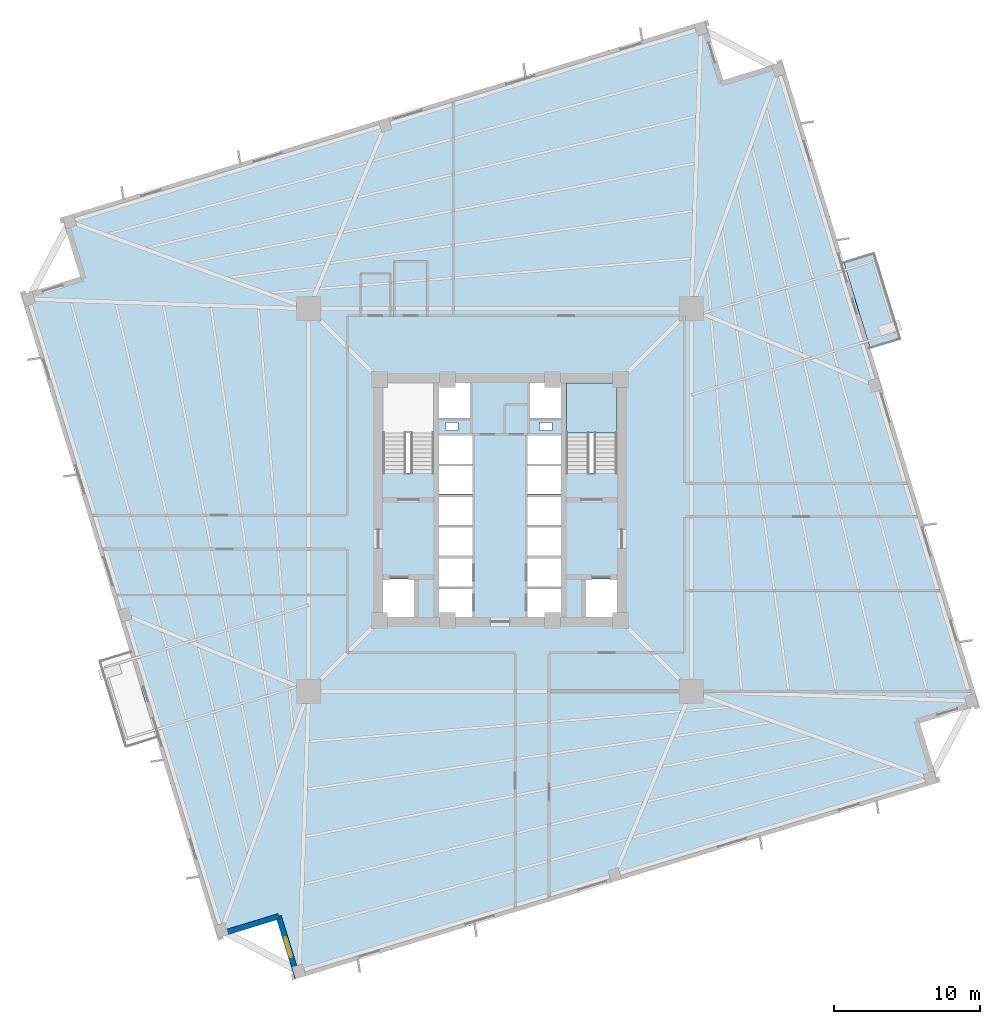
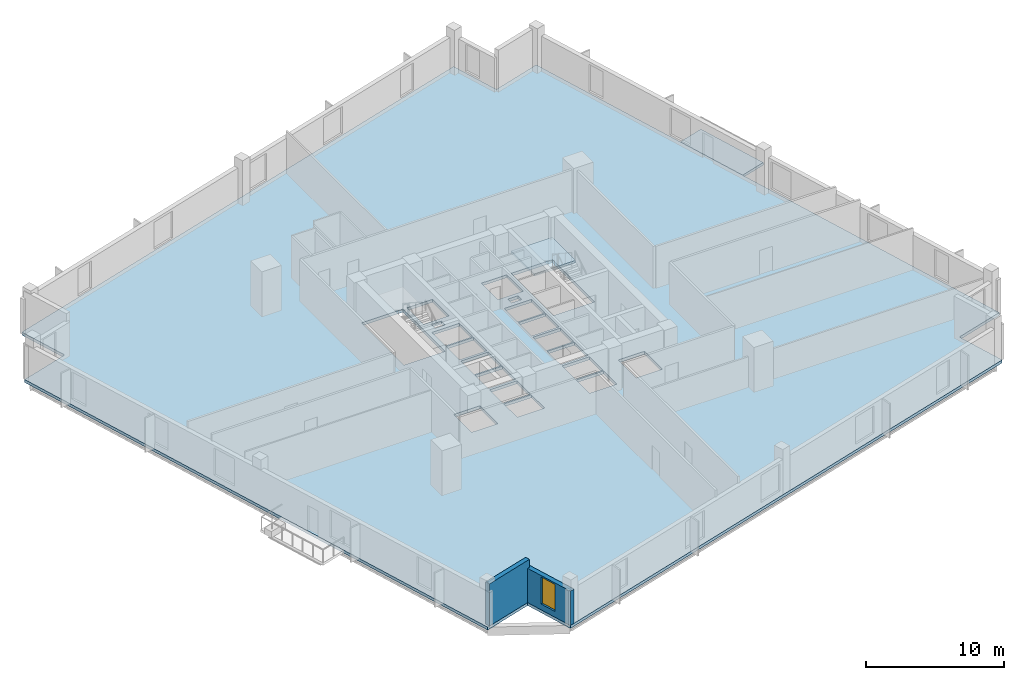
# One storey, part 2 of 9: 3 slabs, 2 walls, 1 window, 1 opening, 1 element without a shape of its own.
"""IFC4 building model written with IfcOpenShell, lengths in metres."""

import ifcopenshell
import ifcopenshell.guid

model = None  # the IFC model being written
_history = None  # IfcOwnerHistory: only IFC2X3 demands one
_inside = {}  # id of a spatial element -> (the spatial element, [elements in it])
_under = {}  # id of a project, library or spatial element -> (it, [spatial elements below it])
_declared = {}  # id of a project -> (the project, [libraries it declares])
_typed = {}  # id of a type object -> (the type object, [elements of that type])
_made_of = {}  # id of a material, layer set ... -> (it, [elements and type objects made of it])


def new_model(schema):
    """Start an empty IFC model of exactly this schema.

    Asked for "IFC4X3", IfcOpenShell would pick the latest addendum, in which some entities
    have other attributes; the version numbers below select the first issue.
    IFC2X3 requires an IfcOwnerHistory on every rooted entity: one is made here for all.
    """
    global model, _history
    if schema == "IFC4X3":
        model = ifcopenshell.file(schema_version=(4, 3, 0, 0))
    else:
        model = ifcopenshell.file(schema=schema)
    _inside.clear()
    _under.clear()
    _declared.clear()
    _typed.clear()
    _made_of.clear()
    _history = None
    if model.schema == "IFC2X3":
        org = make("IfcOrganization", Name="unknown")
        user = make(
            "IfcPersonAndOrganization",
            ThePerson=make("IfcPerson", FamilyName="unknown"),
            TheOrganization=org,
        )
        app = make(
            "IfcApplication",
            ApplicationDeveloper=org,
            Version="unknown",
            ApplicationFullName="unknown",
            ApplicationIdentifier="unknown",
        )
        _history = make(
            "IfcOwnerHistory",
            OwningUser=user,
            OwningApplication=app,
            ChangeAction="ADDED",
            CreationDate=0,
        )
    return model


def make(cls, **values):
    """One entity of the class cls with the attributes given. An attribute that is None is left unset."""
    return model.create_entity(
        cls, **{name: value for name, value in values.items() if value is not None}
    )


def rooted(cls, **values):
    """An entity with a GlobalId (a new one), such as an element, a storey or a relation."""
    return make(cls, GlobalId=ifcopenshell.guid.new(), OwnerHistory=_history, **values)


def si_unit(unit_type, name, prefix=None):
    """IfcSIUnit, for example si_unit("LENGTHUNIT", "METRE", prefix="MILLI")."""
    return make("IfcSIUnit", UnitType=unit_type, Prefix=prefix, Name=name)


def assignment(units):
    """IfcUnitAssignment: the units of a project."""
    return None if units is None else make("IfcUnitAssignment", Units=units)


def point(xyz):
    """IfcCartesianPoint."""
    return None if xyz is None else make("IfcCartesianPoint", Coordinates=xyz)


def direction(xyz):
    """IfcDirection."""
    return None if xyz is None else make("IfcDirection", DirectionRatios=xyz)


def frame(location, z_axis=None, x_axis=None):
    """IfcAxis2Placement3D, a coordinate frame: its origin and axes. An axis left out is left unset."""
    return make(
        "IfcAxis2Placement3D",
        Location=point(location),
        Axis=direction(z_axis),
        RefDirection=direction(x_axis),
    )


def frame_2d(location, x_axis=None):
    """IfcAxis2Placement2D, a coordinate frame in the plane: its origin and x axis."""
    return make(
        "IfcAxis2Placement2D", Location=point(location), RefDirection=direction(x_axis)
    )


def origin():
    """The frame at (0, 0, 0) with its axes left unset."""
    return frame((0.0, 0.0, 0.0))


def place(relative_to, where):
    """IfcLocalPlacement: puts the frame where relative to a parent placement (None: the world)."""
    return make(
        "IfcLocalPlacement", PlacementRelTo=relative_to, RelativePlacement=where
    )


def context(
    kind, dimensions, precision=None, world=None, true_north=None, identifier=None
):
    """IfcGeometricRepresentationContext, for example the 3D "Model" context."""
    return make(
        "IfcGeometricRepresentationContext",
        ContextIdentifier=identifier,
        ContextType=kind,
        CoordinateSpaceDimension=dimensions,
        Precision=precision,
        WorldCoordinateSystem=world,
        TrueNorth=true_north,
    )


def subcontext(parent, identifier, kind, view, scale=None):
    """IfcGeometricRepresentationSubContext, for example "Body" below "Model"."""
    return make(
        "IfcGeometricRepresentationSubContext",
        ContextIdentifier=identifier,
        ContextType=kind,
        ParentContext=parent,
        TargetScale=scale,
        TargetView=view,
    )


def project(units=None, contexts=None):
    """IfcProject with its units and contexts."""
    return rooted(
        "IfcProject",
        Name="project",
        RepresentationContexts=contexts,
        UnitsInContext=assignment(units),
    )


def spatial(cls, under=None, at=None, **own):
    """A site, building, storey or space (cls), placed at a placement, below another one or the project."""
    s = rooted(cls, ObjectPlacement=at, **own)
    if under is not None:
        _under.setdefault(under.id(), (under, []))[1].append(s)
    return s


def polyline(points):
    """IfcPolyline through the points."""
    return make("IfcPolyline", Points=[point(p) for p in points])


def profile(cls, at=None, kind="AREA", **sizes):
    """A parametric profile (cls). Its sizes go by their IFC names, for example OverallWidth=200.0."""
    return make(cls, ProfileType=kind, Position=at, **sizes)


def rectangle(**sizes):
    """IfcRectangleProfileDef."""
    return profile("IfcRectangleProfileDef", **sizes)


def outline(outer, holes=None, kind="AREA"):
    """IfcArbitraryClosedProfileDef: a profile drawn as a closed curve; with holes, ...WithVoids."""
    if holes is None:
        return make("IfcArbitraryClosedProfileDef", ProfileType=kind, OuterCurve=outer)
    return make(
        "IfcArbitraryProfileDefWithVoids",
        ProfileType=kind,
        OuterCurve=outer,
        InnerCurves=holes,
    )


def extrude(swept, where, along, depth):
    """IfcExtrudedAreaSolid: the profile swept, set in the frame where, extruded along a direction by depth."""
    return make(
        "IfcExtrudedAreaSolid",
        SweptArea=swept,
        Position=where,
        ExtrudedDirection=direction(along),
        Depth=depth,
    )


def shape(context_of_items, identifier, shape_type, items):
    """IfcShapeRepresentation: the items that make up one representation, for example the "Body"."""
    return make(
        "IfcShapeRepresentation",
        ContextOfItems=context_of_items,
        RepresentationIdentifier=identifier,
        RepresentationType=shape_type,
        Items=items,
    )


def source(mapping_origin, context_of_items, identifier, shape_type, items):
    """IfcRepresentationMap: a shape defined once, which mapped items show again and again."""
    return make(
        "IfcRepresentationMap",
        MappingOrigin=mapping_origin,
        MappedRepresentation=shape(context_of_items, identifier, shape_type, items),
    )


def transform(
    local_origin,
    x_axis=None,
    y_axis=None,
    z_axis=None,
    scale=None,
    scale2=None,
    scale3=None,
    uniform=True,
):
    """IfcCartesianTransformationOperator3D, or its non-uniform kind. x_axis, y_axis, z_axis: its Axis1, 2, 3."""
    if uniform:
        return make(
            "IfcCartesianTransformationOperator3D",
            Axis1=direction(x_axis),
            Axis2=direction(y_axis),
            LocalOrigin=point(local_origin),
            Scale=scale,
            Axis3=direction(z_axis),
        )
    return make(
        "IfcCartesianTransformationOperator3DnonUniform",
        Axis1=direction(x_axis),
        Axis2=direction(y_axis),
        LocalOrigin=point(local_origin),
        Scale=scale,
        Axis3=direction(z_axis),
        Scale2=scale2,
        Scale3=scale3,
    )


def mapped(mapping_source, mapping_target):
    """IfcMappedItem: shows the shape of a source again, moved by a transform."""
    return make(
        "IfcMappedItem", MappingSource=mapping_source, MappingTarget=mapping_target
    )


def material(Name=None, Category=None):
    """IfcMaterial."""
    return make("IfcMaterial", Name=Name, Category=Category)


def layer(
    of_material, thickness, ventilated=None, Name=None, Category=None, Priority=None
):
    """IfcMaterialLayer: one layer of a wall or slab, of a material (None: an air gap)."""
    return make(
        "IfcMaterialLayer",
        Material=of_material,
        LayerThickness=thickness,
        IsVentilated=ventilated,
        Name=Name,
        Category=Category,
        Priority=Priority,
    )


def layer_set(layers, Name=None):
    """IfcMaterialLayerSet."""
    return make("IfcMaterialLayerSet", MaterialLayers=layers, LayerSetName=Name)


def made_of(thing, what):
    """Note that an element or type object is made of a material, layer set ...; save() writes the relation."""
    if what is not None:
        _made_of.setdefault(what.id(), (what, []))[1].append(thing)
    return thing


def type_object(cls, material=None, **own):
    """A type object (cls), such as IfcWallType, which elements share."""
    return made_of(rooted(cls, **own), material)


def element(
    cls,
    number,
    at=None,
    inside=None,
    cuts=None,
    type_object=None,
    material=None,
    context=None,
    identifier="Body",
    shape_type=None,
    held_by="IfcProductDefinitionShape",
    body=None,
    shapes=None,
    **own,
):
    """One element of the class cls, such as IfcWall. Its Tag is "e" and its number.

    at: its placement. inside: the storey or other place that contains it. cuts: it is an
    opening in that element (IfcRelVoidsElement). A single representation is given by context,
    identifier, shape_type and body (its items); several are given by shapes. held_by: the class
    of the entity that holds the representations. save() writes the other relations.
    """
    e = rooted(cls, Tag="e%d" % number, ObjectPlacement=at, **own)
    if body is not None:
        shapes = [shape(context, identifier, shape_type, body)]
    if shapes is not None:
        e.Representation = make(held_by, Representations=shapes)
    if inside is not None:
        _inside.setdefault(inside.id(), (inside, []))[1].append(e)
    if cuts is not None:
        rooted(
            "IfcRelVoidsElement", RelatingBuildingElement=cuts, RelatedOpeningElement=e
        )
    if type_object is not None:
        _typed.setdefault(type_object.id(), (type_object, []))[1].append(e)
    return made_of(e, material)


def fill(opening, filler):
    """IfcRelFillsElement: the door or window that sits in an opening."""
    return rooted(
        "IfcRelFillsElement",
        RelatingOpeningElement=opening,
        RelatedBuildingElement=filler,
    )


def aggregate(whole, parts):
    """IfcRelAggregates: a whole, such as a stair, and the parts it consists of."""
    return rooted("IfcRelAggregates", RelatingObject=whole, RelatedObjects=parts)


def save(model, path):
    """Write the relations noted so far, then the file.

    IfcRelAggregates (storeys below a building ...), IfcRelContainedInSpatialStructure (elements
    in a storey), IfcRelDefinesByType, IfcRelAssociatesMaterial and IfcRelDeclares: one each for
    every whole, place, type object, material and project.
    """
    for whole, parts in _under.values():
        aggregate(whole, parts)
    for where, things in _inside.values():
        rooted(
            "IfcRelContainedInSpatialStructure",
            RelatedElements=things,
            RelatingStructure=where,
        )
    for kind, things in _typed.values():
        rooted("IfcRelDefinesByType", RelatedObjects=things, RelatingType=kind)
    for what, things in _made_of.values():
        rooted("IfcRelAssociatesMaterial", RelatedObjects=things, RelatingMaterial=what)
    for by, libraries in _declared.values():
        rooted("IfcRelDeclares", RelatingContext=by, RelatedDefinitions=libraries)
    model.write(path)


model = new_model("IFC4")

# Units and contexts
model_context = context("Model", 3, precision=1e-05, world=origin(), true_north=direction((0.0, 1.0)))
body_context = subcontext(model_context, "Body", "Model", "MODEL_VIEW")
ifc_project = project(units=[si_unit("LENGTHUNIT", "METRE"), si_unit("AREAUNIT", "SQUARE_METRE"), si_unit("VOLUMEUNIT", "CUBIC_METRE"), si_unit("PLANEANGLEUNIT", "RADIAN"), si_unit("MASSUNIT", "GRAM", prefix="KILO"), si_unit("THERMODYNAMICTEMPERATUREUNIT", "KELVIN")], contexts=[model_context])

# Site, building, storey
site_placement = place(None, origin())
site = spatial("IfcSite", under=ifc_project, at=site_placement, CompositionType="ELEMENT")
building_placement = place(site_placement, origin())
building = spatial("IfcBuilding", under=site, at=building_placement, Name="Kosmvard Interchange Tower", CompositionType="ELEMENT")
storey_placement = place(building_placement, frame((0.0, 0.0, 95.199951171875)))
storey = spatial("IfcBuildingStorey", under=building, at=storey_placement, Name="L22", CompositionType="ELEMENT", Elevation=95.199951171875)

# Slab
ifc_material_1 = material(Name="Concrete C50/60", Category="concrete")
ifc_layer_1 = layer(ifc_material_1, 0.260009765625, Name="Concrete C50/60")
ifc_layer_set_1 = layer_set([ifc_layer_1], Name="Concrete C50/60")
slab_type_1 = type_object("IfcSlabType", Name="Mid-Rise Office Composite Slab 260 C50/60", PredefinedType="FLOOR", material=ifc_layer_set_1)
slab_1_placement = place(storey_placement, frame((0.0, 0.0, -0.260009765625)))
element("IfcSlab", 1, at=slab_1_placement, inside=storey, type_object=slab_type_1, Name="L22 Structural Floor Slab", PredefinedType="FLOOR", context=body_context, shape_type="SweptSolid", body=[
    extrude(outline(polyline([(-14.02783203125, -32.783935546875), (29.962158203125, -19.334716796875), (28.719482421875, -15.2705078125), (32.783935546875, -14.02783203125), (19.334716796875, 29.962158203125), (15.2705078125, 28.719482421875), (14.02783203125, 32.783935546875), (-29.962158203125, 19.334716796875), (-28.719482421875, 15.2705078125), (-32.783935546875, 14.02783203125), (-19.334716796875, -29.962158203125), (-15.2705078125, -28.719482421875), (-14.02783203125, -32.783935546875)]), holes=[polyline([(-8.0, 1.8349609375), (-4.5400390625, 1.8349609375), (-4.5400390625, 8.0), (-8.0, 8.0), (-8.0, 1.8349609375)]), polyline([(4.5400390625, 1.8349609375), (8.0, 1.8349609375), (8.0, 8.0), (4.5400390625, 8.0), (4.5400390625, 1.8349609375)]), polyline([(-8.0, -8.0), (-5.800048828125, -8.0), (-5.800048828125, -5.39990234375), (-8.0, -5.39990234375), (-8.0, -8.0)]), polyline([(5.800048828125, -8.0), (8.0, -8.0), (8.0, -5.39990234375), (5.800048828125, -5.39990234375), (5.800048828125, -8.0)]), polyline([(-4.179931640625, -8.0), (-1.8798828125, -8.0), (-1.8798828125, -6.06005859375), (-4.179931640625, -6.06005859375), (-4.179931640625, -8.0)]), polyline([(-4.179931640625, -5.93994140625), (-1.8798828125, -5.93994140625), (-1.8798828125, -4.0), (-4.179931640625, -4.0), (-4.179931640625, -5.93994140625)]), polyline([(1.8798828125, -8.0), (4.179931640625, -8.0), (4.179931640625, -6.06005859375), (1.8798828125, -6.06005859375), (1.8798828125, -8.0)]), polyline([(1.8798828125, -5.93994140625), (4.179931640625, -5.93994140625), (4.179931640625, -4.0), (1.8798828125, -4.0), (1.8798828125, -5.93994140625)]), polyline([(-4.179931640625, -3.800048828125), (-1.8798828125, -3.800048828125), (-1.8798828125, -1.860107421875), (-4.179931640625, -1.860107421875), (-4.179931640625, -3.800048828125)]), polyline([(-4.179931640625, -1.739990234375), (-1.8798828125, -1.739990234375), (-1.8798828125, 0.199951171875), (-4.179931640625, 0.199951171875), (-4.179931640625, -1.739990234375)]), polyline([(1.8798828125, -3.800048828125), (4.179931640625, -3.800048828125), (4.179931640625, -1.860107421875), (1.8798828125, -1.860107421875), (1.8798828125, -3.800048828125)]), polyline([(1.8798828125, -1.739990234375), (4.179931640625, -1.739990234375), (4.179931640625, 0.199951171875), (1.8798828125, 0.199951171875), (1.8798828125, -1.739990234375)]), polyline([(-4.179931640625, 0.39990234375), (-1.8798828125, 0.39990234375), (-1.8798828125, 2.340087890625), (-4.179931640625, 2.340087890625), (-4.179931640625, 0.39990234375)]), polyline([(-4.179931640625, 2.4599609375), (-1.8798828125, 2.4599609375), (-1.8798828125, 4.39990234375), (-4.179931640625, 4.39990234375), (-4.179931640625, 2.4599609375)]), polyline([(1.8798828125, 0.39990234375), (4.179931640625, 0.39990234375), (4.179931640625, 2.340087890625), (1.8798828125, 2.340087890625), (1.8798828125, 0.39990234375)]), polyline([(1.8798828125, 2.4599609375), (4.179931640625, 2.4599609375), (4.179931640625, 4.39990234375), (1.8798828125, 4.39990234375), (1.8798828125, 2.4599609375)]), polyline([(-4.179931640625, 5.60009765625), (-2.0400390625, 5.60009765625), (-2.0400390625, 8.0), (-4.179931640625, 8.0), (-4.179931640625, 5.60009765625)]), polyline([(2.0400390625, 5.60009765625), (4.179931640625, 5.60009765625), (4.179931640625, 8.0), (2.0400390625, 8.0), (2.0400390625, 5.60009765625)]), polyline([(-3.715087890625, 4.739990234375), (-2.864990234375, 4.739990234375), (-2.864990234375, 5.2900390625), (-3.715087890625, 5.2900390625), (-3.715087890625, 4.739990234375)]), polyline([(2.715087890625, 4.739990234375), (3.56494140625, 4.739990234375), (3.56494140625, 5.2900390625), (2.715087890625, 5.2900390625), (2.715087890625, 4.739990234375)])]), origin(), (0.0, 0.0, 1.0), 0.260009765625),
])

# Stair, slab
stair_type = type_object("IfcStairType", Name="Dog-Leg Core Exit Stair H4000 C50/60", PredefinedType="HALF_TURN_STAIR", material=ifc_material_1)
stair_placement = place(storey_placement, origin())
stair = element("IfcStair", 2, at=stair_placement, inside=storey, type_object=stair_type, Name="L22 Protected Exit Stair ST-2", PredefinedType="HALF_TURN_STAIR")
ifc_layer_2 = layer(ifc_material_1, 0.199951171875, Name="Concrete C50/60")
ifc_layer_set_2 = layer_set([ifc_layer_2], Name="Concrete C50/60")
slab_type_2 = type_object("IfcSlabType", Name="Stair Half-Landing Slab 200 C50/60", PredefinedType="LANDING", material=ifc_layer_set_2)
slab_2_placement = place(storey_placement, frame((0.0, 0.0, 1.800048828125)))
slab_2 = element("IfcSlab", 3, at=slab_2_placement, type_object=slab_type_2, Name="ST-2 landing 1", PredefinedType="LANDING", context=body_context, shape_type="SweptSolid", body=[
    extrude(outline(polyline([(8.0, 4.60009765625), (8.0, 8.0), (4.5400390625, 8.0), (4.5400390625, 4.60009765625), (8.0, 4.60009765625)])), origin(), (0.0, 0.0, 1.0), 0.199951171875),
])
aggregate(stair, [slab_2])

# Slab
ifc_layer_3 = layer(ifc_material_1, 0.22998046875, Name="Concrete C50/60")
ifc_layer_set_3 = layer_set([ifc_layer_3], Name="Concrete C50/60")
slab_type_3 = type_object("IfcSlabType", Name="Tree-Planter Cantilever Balcony Slab 230 C50/60", PredefinedType="FLOOR", material=ifc_layer_set_3)
slab_3_placement = place(storey_placement, frame((0.0, 0.0, -0.22998046875)))
element("IfcSlab", 4, at=slab_3_placement, inside=storey, type_object=slab_type_3, Name="L22 Outdoor Terrace Balcony Slab BAL-L22-E", PredefinedType="FLOOR", context=body_context, shape_type="SweptSolid", body=[
    extrude(outline(polyline([(25.328369140625, 10.35791015625), (27.43212890625, 11.001220703125), (25.61962890625, 16.93017578125), (23.515625, 16.286865234375), (25.328369140625, 10.35791015625)])), origin(), (0.0, 0.0, 1.0), 0.22998046875),
])

# Wall
ifc_material_2 = material(Name="Precast concrete C45/55", Category="concrete")
ifc_layer_4 = layer(ifc_material_2, 0.3798828125, Name="Precast concrete C45/55")
ifc_layer_set_4 = layer_set([ifc_layer_4], Name="Precast concrete C45/55")
wall_type = type_object("IfcWallType", Name="Lower Tower Precast Pier Wall 380 C45/55", PredefinedType="STANDARD", material=ifc_layer_set_4)
wall_1_placement = place(storey_placement, frame((-19.20849609375, -29.724853515625, 0.0), z_axis=(0.0, 0.0, 1.0), x_axis=(0.956312764915, 0.292345507338, 0.0)))
element("IfcWall", 5, at=wall_1_placement, inside=storey, type_object=wall_type, Name="L22 Precast Facade Wall N-SW1", PredefinedType="STANDARD", context=body_context, shape_type="SweptSolid", body=[
    extrude(rectangle(XDim=4.249755859375, YDim=0.3798828125, at=frame_2d((2.125, 0.0))), origin(), (0.0, 0.0, 1.0), 3.739990234375),
])

# Wall, opening, window
wall_2_placement = place(storey_placement, frame((-15.144287109375, -28.482421875, 0.0), z_axis=(0.0, 0.0, 1.0), x_axis=(0.292373601522, -0.956304176051, 0.0)))
wall_2 = element("IfcWall", 6, at=wall_2_placement, inside=storey, type_object=wall_type, Name="L22 Precast Facade Wall N-SW2", PredefinedType="STANDARD", context=body_context, shape_type="SweptSolid", body=[
    extrude(rectangle(XDim=4.43994140625, YDim=0.3798828125, at=frame_2d((2.219970703125, 0.0))), origin(), (0.0, 0.0, 1.0), 3.0400390625),
])
opening_placement = place(wall_2_placement, frame((1.52001953125, 0.0, 0.510009765625)))
opening = element("IfcOpeningElement", 7, at=opening_placement, cuts=wall_2, Name="Opening L22-W24", PredefinedType="OPENING", context=body_context, shape_type="SweptSolid", body=[
    extrude(rectangle(XDim=1.39990234375, YDim=2.39990234375, at=frame_2d((0.699951171875, 1.199951171875))), frame((0.0, 0.199951171875, 0.0), z_axis=(0.0, -1.0, 0.0), x_axis=(1.0, 0.0, 0.0)), (0.0, 0.0, 1.0), 0.39990234375),
])
ifc_material_3 = material(Name="Low-E solar-control double glazing", Category="glass")
window_type = type_object("IfcWindowType", Name="Notched Corner Feature Window 1400x2400", PartitioningType="SINGLE_PANEL", PredefinedType="WINDOW", material=ifc_material_3)
shared_shape = source(origin(), body_context, "Body", "SweptSolid", [
    extrude(rectangle(XDim=1.39990234375, YDim=2.39990234375, at=frame_2d((0.699951171875, 1.199951171875))), frame((0.0, 0.030029296875, 0.0), z_axis=(0.0, -1.0, 0.0), x_axis=(1.0, 0.0, 0.0)), (0.0, 0.0, 1.0), 0.06005859375),
])
window_placement = place(opening_placement, origin())
window = element("IfcWindow", 8, at=window_placement, inside=storey, type_object=window_type, Name="L22 Corner Notch Window 24", OverallHeight=2.39990234375, OverallWidth=1.39990234375, PartitioningType="SINGLE_PANEL", PredefinedType="WINDOW", context=body_context, shape_type="MappedRepresentation", body=[
    mapped(shared_shape, transform((0.0, 0.0, 0.0), scale=1.0)),
])
fill(opening, window)

save(model, "model.ifc")
